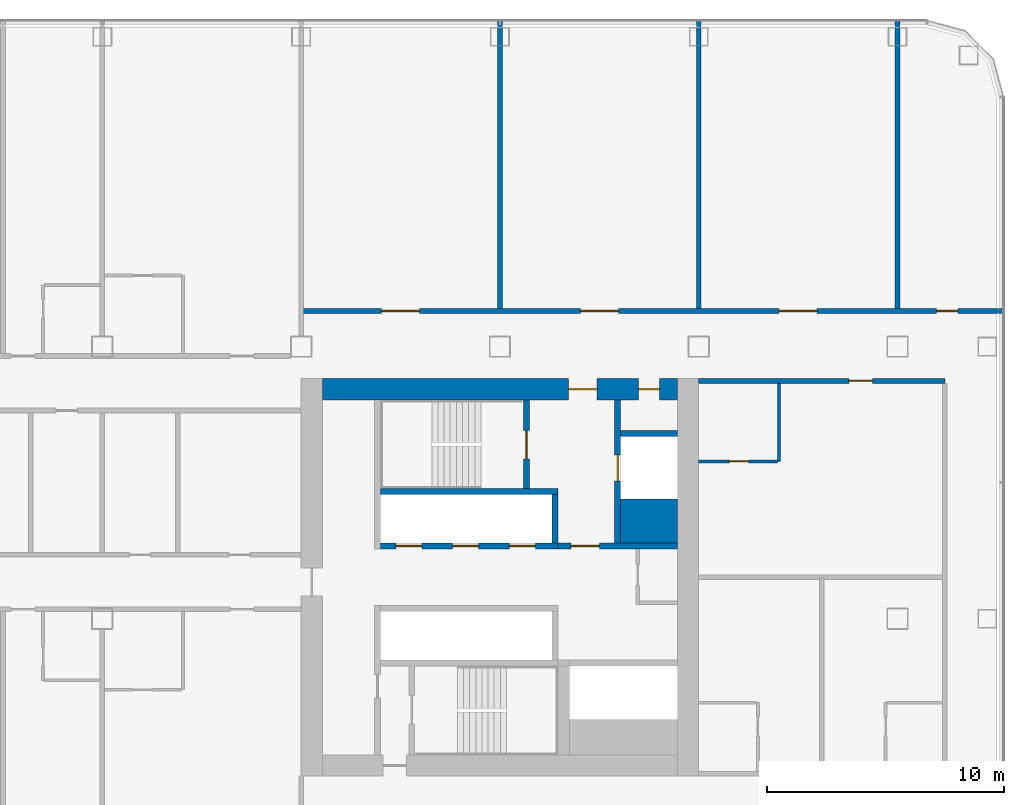
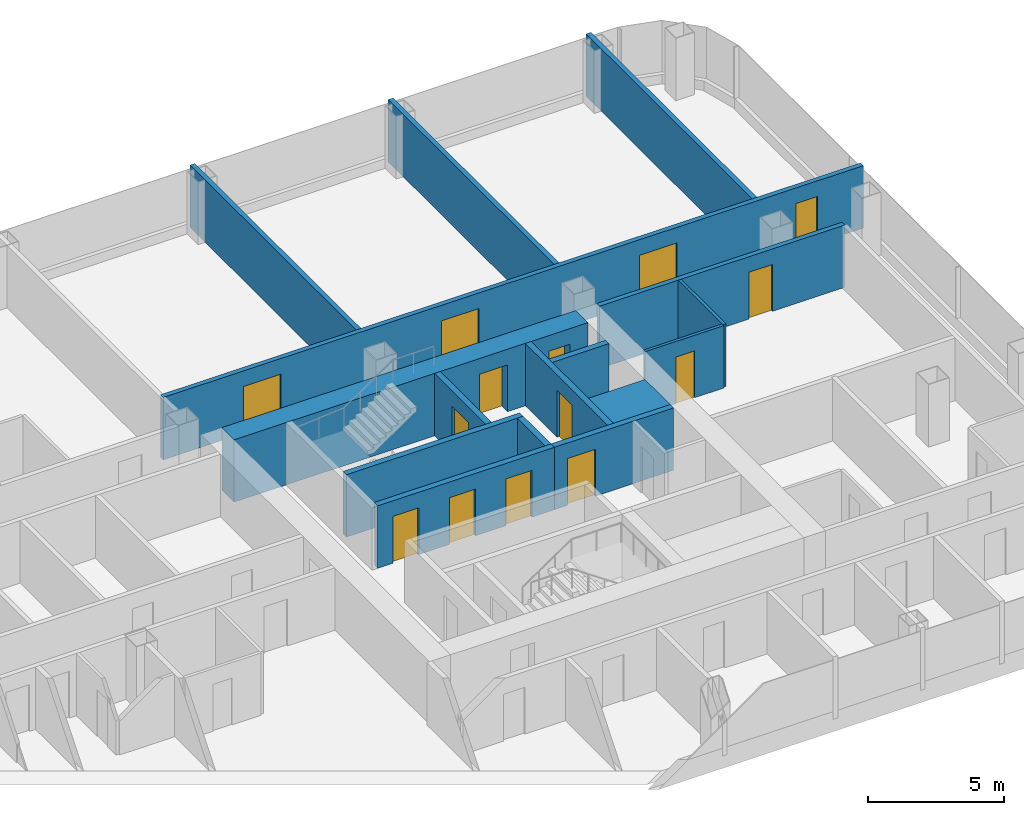
# One storey, part 20 of 29: 16 walls, 14 doors, 14 openings.
"""IFC4 building model written with IfcOpenShell, lengths in metres."""

from ifc_helpers import new_model, si_unit, direction, frame, frame_2d, origin, place, context, subcontext, project, spatial, rectangle, extrude, material, layer, layer_set, type_object, element, fill, save


model = new_model("IFC4")

# Units and contexts
model_context = context("Model", 3, precision=1e-05, world=origin(), true_north=direction((0.0, 1.0)))
body_context = subcontext(model_context, "Body", "Model", "MODEL_VIEW")
ifc_project = project(units=[si_unit("LENGTHUNIT", "METRE"), si_unit("AREAUNIT", "SQUARE_METRE"), si_unit("VOLUMEUNIT", "CUBIC_METRE"), si_unit("PLANEANGLEUNIT", "RADIAN"), si_unit("MASSUNIT", "GRAM", prefix="KILO")], contexts=[model_context])

# Site, building, storey
site_placement = place(None, origin())
site = spatial("IfcSite", under=ifc_project, at=site_placement, CompositionType="ELEMENT")
building_placement = place(site_placement, origin())
building = spatial("IfcBuilding", under=site, at=building_placement, Name="Hakoniwa Tower and Hamabe Station Hall", CompositionType="ELEMENT")
storey_placement = place(building_placement, frame((0.0, 0.0, 85.0)))
storey = spatial("IfcBuildingStorey", under=building, at=storey_placement, Name="L23", CompositionType="ELEMENT", Elevation=85.0)

# Wall, opening, door
ifc_material_1 = material(Name="Gypsum board partition", Category="gypsum")
ifc_layer_1 = layer(ifc_material_1, 0.125)
ifc_layer_set_1 = layer_set([ifc_layer_1], Name="Bathroom Partition 125")
wall_type_1 = type_object("IfcWallType", Name="Bathroom Partition 125", PredefinedType="PARTITIONING", material=ifc_layer_set_1)
wall_1_placement = place(storey_placement, frame((33.60009765625, 4.89990234375, 0.0), z_axis=(0.0, 0.0, 1.0), x_axis=(1.0, 0.0, 0.0)))
wall_1 = element("IfcWall", 1, at=wall_1_placement, inside=storey, type_object=wall_type_1, Name="GW-L23-019", PredefinedType="PARTITIONING", context=body_context, shape_type="SweptSolid", body=[
    extrude(rectangle(XDim=3.33740234375, YDim=0.125, at=frame_2d((1.668701171875, 0.0))), origin(), (0.0, 0.0, 1.0), 2.800048828125),
])
opening_1_placement = place(wall_1_placement, frame((1.300048828125, 0.0, 0.0)))
opening_1 = element("IfcOpeningElement", 2, at=opening_1_placement, cuts=wall_1, Name="Opening GD-G2D0-31", PredefinedType="OPENING", context=body_context, shape_type="SweptSolid", body=[
    extrude(rectangle(XDim=0.800048828125, YDim=2.10009765625, at=frame_2d((0.39990234375, 1.050048828125))), frame((0.0, 0.072509765625, 0.0), z_axis=(0.0, -1.0, 0.0), x_axis=(1.0, 0.0, 0.0)), (0.0, 0.0, 1.0), 0.14501953125),
])
ifc_material_2 = material(Name="Timber door leaf", Category="wood")
door_type_1 = type_object("IfcDoorType", Name="Bathroom Door 800", OperationType="SINGLE_SWING_LEFT", PredefinedType="DOOR", material=ifc_material_2)
door_1_placement = place(opening_1_placement, origin())
door_1 = element("IfcDoor", 3, at=door_1_placement, inside=storey, type_object=door_type_1, Name="Door GD-G2D0-31", OperationType="SINGLE_SWING_LEFT", OverallHeight=2.10009765625, OverallWidth=0.800048828125, PredefinedType="DOOR", context=body_context, shape_type="SweptSolid", body=[
    extrude(rectangle(XDim=0.800048828125, YDim=2.10009765625, at=frame_2d((0.39990234375, 1.050048828125))), frame((0.0, 0.02490234375, 0.0), z_axis=(0.0, -1.0, 0.0), x_axis=(1.0, 0.0, 0.0)), (0.0, 0.0, 1.0), 0.050048828125),
])
fill(opening_1, door_1)

# Wall
wall_2_placement = place(storey_placement, frame((37.0, 4.89990234375, 0.0), z_axis=(0.0, 0.0, 1.0), x_axis=(0.0, 1.0, 0.0)))
element("IfcWall", 4, at=wall_2_placement, inside=storey, type_object=wall_type_1, Name="GW-L23-089", PredefinedType="PARTITIONING", context=body_context, shape_type="SweptSolid", body=[
    extrude(rectangle(XDim=3.300048828125, YDim=0.125, at=frame_2d((1.64990234375, 0.0))), origin(), (0.0, 0.0, 1.0), 2.800048828125),
])

# Wall, openings, doors
ifc_material_3 = material(Name="Concrete C72", Category="concrete")
ifc_layer_2 = layer(ifc_material_3, 0.89990234375)
ifc_layer_set_2 = layer_set([ifc_layer_2], Name="CORE WALL 900 C72")
wall_type_2 = type_object("IfcWallType", Name="CORE WALL 900 C72", PredefinedType="SHEAR", material=ifc_layer_set_2)
wall_3_placement = place(storey_placement, frame((17.699951171875, 7.949951171875, 0.0), z_axis=(0.0, 0.0, 1.0), x_axis=(1.0, 0.0, 0.0)))
wall_3 = element("IfcWall", 5, at=wall_3_placement, inside=storey, type_object=wall_type_2, Name="Core wall NORTH east", PredefinedType="SHEAR", context=body_context, shape_type="SweptSolid", body=[
    extrude(rectangle(XDim=15.0, YDim=0.89990234375, at=frame_2d((7.5, 0.0))), origin(), (0.0, 0.0, 1.0), 2.800048828125),
])
opening_2_placement = place(wall_3_placement, frame((10.39990234375, 0.0, 0.0)))
opening_2 = element("IfcOpeningElement", 6, at=opening_2_placement, cuts=wall_3, Name="Opening CD-E-FN1-12", PredefinedType="OPENING", context=body_context, shape_type="SweptSolid", body=[
    extrude(rectangle(XDim=1.199951171875, YDim=2.10009765625, at=frame_2d((0.60009765625, 1.050048828125))), frame((0.0, 0.4599609375, 0.0), z_axis=(0.0, -1.0, 0.0), x_axis=(1.0, 0.0, 0.0)), (0.0, 0.0, 1.0), 0.919921875),
])
opening_3_placement = place(wall_3_placement, frame((13.35009765625, 0.0, 0.0)))
opening_3 = element("IfcOpeningElement", 7, at=opening_3_placement, cuts=wall_3, Name="Opening CD-E-FN2-9", PredefinedType="OPENING", context=body_context, shape_type="SweptSolid", body=[
    extrude(rectangle(XDim=0.89990234375, YDim=2.10009765625, at=frame_2d((0.449951171875, 1.050048828125))), frame((0.0, 0.4599609375, 0.0), z_axis=(0.0, -1.0, 0.0), x_axis=(1.0, 0.0, 0.0)), (0.0, 0.0, 1.0), 0.919921875),
])
ifc_material_4 = material(Name="Steel fire door", Category="steel")
door_type_2 = type_object("IfcDoorType", Name="CORE DOOR 1200 FD60", OperationType="DOUBLE_DOOR_SINGLE_SWING", PredefinedType="DOOR", material=ifc_material_4)
door_2_placement = place(opening_2_placement, origin())
door_2 = element("IfcDoor", 8, at=door_2_placement, inside=storey, type_object=door_type_2, Name="Stair vestibule door to the fire-fighting lobby", OperationType="DOUBLE_DOOR_SINGLE_SWING", OverallHeight=2.10009765625, OverallWidth=1.199951171875, PredefinedType="DOOR", context=body_context, shape_type="SweptSolid", body=[
    extrude(rectangle(XDim=1.199951171875, YDim=2.10009765625, at=frame_2d((0.60009765625, 1.050048828125))), frame((0.0, 0.02490234375, 0.0), z_axis=(0.0, -1.0, 0.0), x_axis=(1.0, 0.0, 0.0)), (0.0, 0.0, 1.0), 0.050048828125),
])
fill(opening_2, door_2)
ifc_material_5 = material(Name="Steel fire door", Category="steel")
door_type_3 = type_object("IfcDoorType", Name="CORE DOOR 900 FD30", OperationType="NOTDEFINED", PredefinedType="DOOR", material=ifc_material_5)
door_3_placement = place(opening_3_placement, origin())
door_3 = element("IfcDoor", 9, at=door_3_placement, inside=storey, type_object=door_type_3, Name="Riser access door", OperationType="SINGLE_SWING_LEFT", OverallHeight=2.10009765625, OverallWidth=0.89990234375, PredefinedType="DOOR", context=body_context, shape_type="SweptSolid", body=[
    extrude(rectangle(XDim=0.89990234375, YDim=2.10009765625, at=frame_2d((0.449951171875, 1.050048828125))), frame((0.0, 0.02490234375, 0.0), z_axis=(0.0, -1.0, 0.0), x_axis=(1.0, 0.0, 0.0)), (0.0, 0.0, 1.0), 0.050048828125),
])
fill(opening_3, door_3)

# Wall
ifc_material_6 = material(Name="Concrete C72", Category="concrete")
ifc_layer_3 = layer(ifc_material_6, 1.85009765625)
ifc_layer_set_3 = layer_set([ifc_layer_3], Name="CORE WEB WALL 1850 C72")
wall_type_3 = type_object("IfcWallType", Name="CORE WEB WALL 1850 C72", PredefinedType="SHEAR", material=ifc_layer_set_3)
wall_4_placement = place(storey_placement, frame((30.300048828125, 2.375, 0.0), z_axis=(0.0, 0.0, 1.0), x_axis=(1.0, 0.0, 0.0)))
element("IfcWall", 10, at=wall_4_placement, inside=storey, type_object=wall_type_3, Name="Core wall CA east", PredefinedType="SHEAR", context=body_context, shape_type="SweptSolid", body=[
    extrude(rectangle(XDim=2.39990234375, YDim=1.85009765625, at=frame_2d((1.199951171875, 0.0))), origin(), (0.0, 0.0, 1.0), 2.800048828125),
])

# Wall, openings, doors
ifc_material_7 = material(Name="Concrete C72", Category="concrete")
ifc_layer_4 = layer(ifc_material_7, 0.25)
ifc_layer_set_4 = layer_set([ifc_layer_4], Name="CORE WEB WALL 250 C72")
wall_type_4 = type_object("IfcWallType", Name="CORE WEB WALL 250 C72", PredefinedType="SHEAR", material=ifc_layer_set_4)
wall_5_placement = place(storey_placement, frame((20.14990234375, 1.324951171875, 0.0), z_axis=(0.0, 0.0, 1.0), x_axis=(1.0, 0.0, 0.0)))
wall_5 = element("IfcWall", 11, at=wall_5_placement, inside=storey, type_object=wall_type_4, Name="Core wall NF east", PredefinedType="SHEAR", context=body_context, shape_type="SweptSolid", body=[
    extrude(rectangle(XDim=7.5, YDim=0.25, at=frame_2d((3.75, 0.0))), origin(), (0.0, 0.0, 1.0), 2.800048828125),
])
opening_4_placement = place(wall_5_placement, frame((0.64990234375, 0.0, 0.0)))
opening_4 = element("IfcOpeningElement", 12, at=opening_4_placement, cuts=wall_5, Name="Opening LD-LR4", PredefinedType="OPENING", context=body_context, shape_type="SweptSolid", body=[
    extrude(rectangle(XDim=1.10009765625, YDim=2.10009765625, at=frame_2d((0.550048828125, 1.050048828125))), frame((0.0, 0.135009765625, 0.0), z_axis=(0.0, -1.0, 0.0), x_axis=(1.0, 0.0, 0.0)), (0.0, 0.0, 1.0), 0.27001953125),
])
opening_5_placement = place(wall_5_placement, frame((3.050048828125, 0.0, 0.0)))
opening_5 = element("IfcOpeningElement", 13, at=opening_5_placement, cuts=wall_5, Name="Opening LD-LR5", PredefinedType="OPENING", context=body_context, shape_type="SweptSolid", body=[
    extrude(rectangle(XDim=1.10009765625, YDim=2.10009765625, at=frame_2d((0.550048828125, 1.050048828125))), frame((0.0, 0.135009765625, 0.0), z_axis=(0.0, -1.0, 0.0), x_axis=(1.0, 0.0, 0.0)), (0.0, 0.0, 1.0), 0.27001953125),
])
opening_6_placement = place(wall_5_placement, frame((5.449951171875, 0.0, 0.0)))
opening_6 = element("IfcOpeningElement", 14, at=opening_6_placement, cuts=wall_5, Name="Opening LD-LR6", PredefinedType="OPENING", context=body_context, shape_type="SweptSolid", body=[
    extrude(rectangle(XDim=1.10009765625, YDim=2.10009765625, at=frame_2d((0.550048828125, 1.050048828125))), frame((0.0, 0.135009765625, 0.0), z_axis=(0.0, -1.0, 0.0), x_axis=(1.0, 0.0, 0.0)), (0.0, 0.0, 1.0), 0.27001953125),
])
ifc_material_8 = material(Name="Stainless steel SUS304", Category="steel")
door_type_4 = type_object("IfcDoorType", Name="LIFT LANDING DOOR 1100 FD60", OperationType="DOUBLE_DOOR_SLIDING", PredefinedType="DOOR", material=ifc_material_8)
door_4_placement = place(opening_4_placement, origin())
door_4 = element("IfcDoor", 15, at=door_4_placement, inside=storey, type_object=door_type_4, Name="Lift landing door LR4 L23", OperationType="DOUBLE_DOOR_SLIDING", OverallHeight=2.10009765625, OverallWidth=1.10009765625, PredefinedType="DOOR", context=body_context, shape_type="SweptSolid", body=[
    extrude(rectangle(XDim=1.10009765625, YDim=2.10009765625, at=frame_2d((0.550048828125, 1.050048828125))), frame((0.0, 0.02490234375, 0.0), z_axis=(0.0, -1.0, 0.0), x_axis=(1.0, 0.0, 0.0)), (0.0, 0.0, 1.0), 0.050048828125),
])
fill(opening_4, door_4)
door_5_placement = place(opening_5_placement, origin())
door_5 = element("IfcDoor", 16, at=door_5_placement, inside=storey, type_object=door_type_4, Name="Lift landing door LR5 L23", OperationType="DOUBLE_DOOR_SLIDING", OverallHeight=2.10009765625, OverallWidth=1.10009765625, PredefinedType="DOOR", context=body_context, shape_type="SweptSolid", body=[
    extrude(rectangle(XDim=1.10009765625, YDim=2.10009765625, at=frame_2d((0.550048828125, 1.050048828125))), frame((0.0, 0.02490234375, 0.0), z_axis=(0.0, -1.0, 0.0), x_axis=(1.0, 0.0, 0.0)), (0.0, 0.0, 1.0), 0.050048828125),
])
fill(opening_5, door_5)
door_6_placement = place(opening_6_placement, origin())
door_6 = element("IfcDoor", 17, at=door_6_placement, inside=storey, type_object=door_type_4, Name="Lift landing door LR6 L23", OperationType="DOUBLE_DOOR_SLIDING", OverallHeight=2.10009765625, OverallWidth=1.10009765625, PredefinedType="DOOR", context=body_context, shape_type="SweptSolid", body=[
    extrude(rectangle(XDim=1.10009765625, YDim=2.10009765625, at=frame_2d((0.550048828125, 1.050048828125))), frame((0.0, 0.02490234375, 0.0), z_axis=(0.0, -1.0, 0.0), x_axis=(1.0, 0.0, 0.0)), (0.0, 0.0, 1.0), 0.050048828125),
])
fill(opening_6, door_6)

# Walls
wall_6_placement = place(storey_placement, frame((27.52490234375, 1.449951171875, 0.0), z_axis=(0.0, 0.0, 1.0), x_axis=(0.0, 1.0, 0.0)))
element("IfcWall", 18, at=wall_6_placement, inside=storey, type_object=wall_type_4, Name="Core wall NE east", PredefinedType="SHEAR", context=body_context, shape_type="SweptSolid", body=[
    extrude(rectangle(XDim=2.050048828125, YDim=0.25, at=frame_2d((1.02490234375, 0.0))), origin(), (0.0, 0.0, 1.0), 2.800048828125),
])
wall_7_placement = place(storey_placement, frame((20.14990234375, 3.625, 0.0), z_axis=(0.0, 0.0, 1.0), x_axis=(1.0, 0.0, 0.0)))
element("IfcWall", 19, at=wall_7_placement, inside=storey, type_object=wall_type_4, Name="Core wall NR east", PredefinedType="SHEAR", context=body_context, shape_type="SweptSolid", body=[
    extrude(rectangle(XDim=7.5, YDim=0.25, at=frame_2d((3.75, 0.0))), origin(), (0.0, 0.0, 1.0), 2.800048828125),
])

# Wall, opening, door
wall_8_placement = place(storey_placement, frame((26.324951171875, 3.75, 0.0), z_axis=(0.0, 0.0, 1.0), x_axis=(0.0, 1.0, 0.0)))
wall_8 = element("IfcWall", 20, at=wall_8_placement, inside=storey, type_object=wall_type_4, Name="Core wall NSE east", PredefinedType="SHEAR", context=body_context, shape_type="SweptSolid", body=[
    extrude(rectangle(XDim=3.75, YDim=0.25, at=frame_2d((1.875, 0.0))), origin(), (0.0, 0.0, 1.0), 2.800048828125),
])
opening_7_placement = place(wall_8_placement, frame((1.25, 0.0, 0.0)))
opening_7 = element("IfcOpeningElement", 21, at=opening_7_placement, cuts=wall_8, Name="Opening CD-E-SN-12", PredefinedType="OPENING", context=body_context, shape_type="SweptSolid", body=[
    extrude(rectangle(XDim=1.199951171875, YDim=2.10009765625, at=frame_2d((0.60009765625, 1.050048828125))), frame((0.0, 0.135009765625, 0.0), z_axis=(0.0, -1.0, 0.0), x_axis=(1.0, 0.0, 0.0)), (0.0, 0.0, 1.0), 0.27001953125),
])
door_7_placement = place(opening_7_placement, origin())
door_7 = element("IfcDoor", 22, at=door_7_placement, inside=storey, type_object=door_type_2, Name="Escape stair door", OperationType="DOUBLE_DOOR_SINGLE_SWING", OverallHeight=2.10009765625, OverallWidth=1.199951171875, PredefinedType="DOOR", context=body_context, shape_type="SweptSolid", body=[
    extrude(rectangle(XDim=1.199951171875, YDim=2.10009765625, at=frame_2d((0.60009765625, 1.050048828125))), frame((0.0, 0.02490234375, 0.0), z_axis=(0.0, -1.0, 0.0), x_axis=(1.0, 0.0, 0.0)), (0.0, 0.0, 1.0), 0.050048828125),
])
fill(opening_7, door_7)

wall_9_placement = place(storey_placement, frame((27.64990234375, 1.324951171875, 0.0), z_axis=(0.0, 0.0, 1.0), x_axis=(1.0, 0.0, 0.0)))
wall_9 = element("IfcWall", 23, at=wall_9_placement, inside=storey, type_object=wall_type_4, Name="Core wall ELN east", PredefinedType="SHEAR", context=body_context, shape_type="SweptSolid", body=[
    extrude(rectangle(XDim=5.050048828125, YDim=0.25, at=frame_2d((2.52490234375, 0.0))), origin(), (0.0, 0.0, 1.0), 2.800048828125),
])
opening_8_placement = place(wall_9_placement, frame((0.550048828125, 0.0, 0.0)))
opening_8 = element("IfcOpeningElement", 24, at=opening_8_placement, cuts=wall_9, Name="Opening CD-E-FL-12", PredefinedType="OPENING", context=body_context, shape_type="SweptSolid", body=[
    extrude(rectangle(XDim=1.199951171875, YDim=2.10009765625, at=frame_2d((0.60009765625, 1.050048828125))), frame((0.0, 0.135009765625, 0.0), z_axis=(0.0, -1.0, 0.0), x_axis=(1.0, 0.0, 0.0)), (0.0, 0.0, 1.0), 0.27001953125),
])
door_8_placement = place(opening_8_placement, origin())
door_8 = element("IfcDoor", 25, at=door_8_placement, inside=storey, type_object=door_type_2, Name="Stair vestibule door to the fire-fighting lobby", OperationType="DOUBLE_DOOR_SINGLE_SWING", OverallHeight=2.10009765625, OverallWidth=1.199951171875, PredefinedType="DOOR", context=body_context, shape_type="SweptSolid", body=[
    extrude(rectangle(XDim=1.199951171875, YDim=2.10009765625, at=frame_2d((0.60009765625, 1.050048828125))), frame((0.0, 0.02490234375, 0.0), z_axis=(0.0, -1.0, 0.0), x_axis=(1.0, 0.0, 0.0)), (0.0, 0.0, 1.0), 0.050048828125),
])
fill(opening_8, door_8)

wall_10_placement = place(storey_placement, frame((30.175048828125, 1.449951171875, 0.0), z_axis=(0.0, 0.0, 1.0), x_axis=(0.0, 1.0, 0.0)))
wall_10 = element("IfcWall", 26, at=wall_10_placement, inside=storey, type_object=wall_type_4, Name="Core wall FFF east", PredefinedType="SHEAR", context=body_context, shape_type="SweptSolid", body=[
    extrude(rectangle(XDim=6.050048828125, YDim=0.25, at=frame_2d((3.02490234375, 0.0))), origin(), (0.0, 0.0, 1.0), 2.800048828125),
])
opening_9_placement = place(wall_10_placement, frame((2.625, 0.0, 0.0)))
opening_9 = element("IfcOpeningElement", 27, at=opening_9_placement, cuts=wall_10, Name="Opening LD-FF2", PredefinedType="OPENING", context=body_context, shape_type="SweptSolid", body=[
    extrude(rectangle(XDim=1.10009765625, YDim=2.10009765625, at=frame_2d((0.550048828125, 1.050048828125))), frame((0.0, 0.135009765625, 0.0), z_axis=(0.0, -1.0, 0.0), x_axis=(1.0, 0.0, 0.0)), (0.0, 0.0, 1.0), 0.27001953125),
])
door_9_placement = place(opening_9_placement, origin())
door_9 = element("IfcDoor", 28, at=door_9_placement, inside=storey, type_object=door_type_4, Name="Lift landing door FF2 L23", OperationType="DOUBLE_DOOR_SLIDING", OverallHeight=2.10009765625, OverallWidth=1.10009765625, PredefinedType="DOOR", context=body_context, shape_type="SweptSolid", body=[
    extrude(rectangle(XDim=1.10009765625, YDim=2.10009765625, at=frame_2d((0.550048828125, 1.050048828125))), frame((0.0, 0.02490234375, 0.0), z_axis=(0.0, -1.0, 0.0), x_axis=(1.0, 0.0, 0.0)), (0.0, 0.0, 1.0), 0.050048828125),
])
fill(opening_9, door_9)

# Wall
wall_11_placement = place(storey_placement, frame((30.300048828125, 6.074951171875, 0.0), z_axis=(0.0, 0.0, 1.0), x_axis=(1.0, 0.0, 0.0)))
element("IfcWall", 29, at=wall_11_placement, inside=storey, type_object=wall_type_4, Name="Core wall C2 east", PredefinedType="SHEAR", context=body_context, shape_type="SweptSolid", body=[
    extrude(rectangle(XDim=2.39990234375, YDim=0.25, at=frame_2d((1.199951171875, 0.0))), origin(), (0.0, 0.0, 1.0), 2.800048828125),
])

# Wall, opening, door
ifc_material_9 = material(Name="Fire-rated gypsum board partition", Category="gypsum")
ifc_layer_5 = layer(ifc_material_9, 0.199951171875)
ifc_layer_set_5 = layer_set([ifc_layer_5], Name="Corridor Wall 200")
wall_type_5 = type_object("IfcWallType", Name="Corridor Wall 200", PredefinedType="PARTITIONING", material=ifc_layer_set_5)
wall_12_placement = place(storey_placement, frame((33.60009765625, 8.300048828125, 0.0), z_axis=(0.0, 0.0, 1.0), x_axis=(1.0, 0.0, 0.0)))
wall_12 = element("IfcWall", 30, at=wall_12_placement, inside=storey, type_object=wall_type_5, Name="GW-L23-022", PredefinedType="PARTITIONING", context=body_context, shape_type="SweptSolid", body=[
    extrude(rectangle(XDim=10.39990234375, YDim=0.199951171875, at=frame_2d((5.199951171875, 0.0))), origin(), (0.0, 0.0, 1.0), 2.800048828125),
])
opening_10_placement = place(wall_12_placement, frame((6.35009765625, 0.0, 0.0)))
opening_10 = element("IfcOpeningElement", 31, at=opening_10_placement, cuts=wall_12, Name="Opening GD-G2D0-37", PredefinedType="OPENING", context=body_context, shape_type="SweptSolid", body=[
    extrude(rectangle(XDim=1.0, YDim=2.10009765625, at=frame_2d((0.5, 1.050048828125))), frame((0.0, 0.10986328125, 0.0), z_axis=(0.0, -1.0, 0.0), x_axis=(1.0, 0.0, 0.0)), (0.0, 0.0, 1.0), 0.219970703125),
])
ifc_material_10 = material(Name="Timber door leaf", Category="wood")
door_type_5 = type_object("IfcDoorType", Name="Guest Entrance Door 1000", OperationType="SINGLE_SWING_LEFT", PredefinedType="DOOR", material=ifc_material_10)
door_10_placement = place(opening_10_placement, origin())
door_10 = element("IfcDoor", 32, at=door_10_placement, inside=storey, type_object=door_type_5, Name="Door GD-G2D0-37", OperationType="SINGLE_SWING_RIGHT", OverallHeight=2.10009765625, OverallWidth=1.0, PredefinedType="DOOR", context=body_context, shape_type="SweptSolid", body=[
    extrude(rectangle(XDim=1.0, YDim=2.10009765625, at=frame_2d((0.5, 1.050048828125))), frame((0.0, 0.02490234375, 0.0), z_axis=(0.0, -1.0, 0.0), x_axis=(1.0, 0.0, 0.0)), (0.0, 0.0, 1.0), 0.050048828125),
])
fill(opening_10, door_10)

# Wall, openings, doors
wall_13_placement = place(storey_placement, frame((16.800048828125, 11.25, 0.0), z_axis=(0.0, 0.0, 1.0), x_axis=(1.0, 0.0, 0.0)))
wall_13 = element("IfcWall", 33, at=wall_13_placement, inside=storey, type_object=wall_type_5, Name="GW-L23-025", PredefinedType="PARTITIONING", context=body_context, shape_type="SweptSolid", body=[
    extrude(rectangle(XDim=29.699951171875, YDim=0.199951171875, at=frame_2d((14.85009765625, 0.0))), origin(), (0.0, 0.0, 1.0), 2.800048828125),
])
opening_11_placement = place(wall_13_placement, frame((3.39990234375, 0.0, 0.0)))
opening_11 = element("IfcOpeningElement", 34, at=opening_11_placement, cuts=wall_13, Name="Opening GD-G2D0-51", PredefinedType="OPENING", context=body_context, shape_type="SweptSolid", body=[
    extrude(rectangle(XDim=1.60009765625, YDim=2.10009765625, at=frame_2d((0.800048828125, 1.050048828125))), frame((0.0, 0.10986328125, 0.0), z_axis=(0.0, -1.0, 0.0), x_axis=(1.0, 0.0, 0.0)), (0.0, 0.0, 1.0), 0.219970703125),
])
opening_12_placement = place(wall_13_placement, frame((11.800048828125, 0.0, 0.0)))
opening_12 = element("IfcOpeningElement", 35, at=opening_12_placement, cuts=wall_13, Name="Opening GD-G2D0-52", PredefinedType="OPENING", context=body_context, shape_type="SweptSolid", body=[
    extrude(rectangle(XDim=1.60009765625, YDim=2.10009765625, at=frame_2d((0.800048828125, 1.050048828125))), frame((0.0, 0.10986328125, 0.0), z_axis=(0.0, -1.0, 0.0), x_axis=(1.0, 0.0, 0.0)), (0.0, 0.0, 1.0), 0.219970703125),
])
opening_13_placement = place(wall_13_placement, frame((20.199951171875, 0.0, 0.0)))
opening_13 = element("IfcOpeningElement", 36, at=opening_13_placement, cuts=wall_13, Name="Opening GD-G2D0-53", PredefinedType="OPENING", context=body_context, shape_type="SweptSolid", body=[
    extrude(rectangle(XDim=1.60009765625, YDim=2.10009765625, at=frame_2d((0.800048828125, 1.050048828125))), frame((0.0, 0.10986328125, 0.0), z_axis=(0.0, -1.0, 0.0), x_axis=(1.0, 0.0, 0.0)), (0.0, 0.0, 1.0), 0.219970703125),
])
opening_14_placement = place(wall_13_placement, frame((26.85009765625, 0.0, 0.0)))
opening_14 = element("IfcOpeningElement", 37, at=opening_14_placement, cuts=wall_13, Name="Opening GD-G2D0-54", PredefinedType="OPENING", context=body_context, shape_type="SweptSolid", body=[
    extrude(rectangle(XDim=0.89990234375, YDim=2.10009765625, at=frame_2d((0.449951171875, 1.050048828125))), frame((0.0, 0.10986328125, 0.0), z_axis=(0.0, -1.0, 0.0), x_axis=(1.0, 0.0, 0.0)), (0.0, 0.0, 1.0), 0.219970703125),
])
ifc_material_11 = material(Name="Timber door leaf", Category="wood")
door_type_6 = type_object("IfcDoorType", Name="Double Door 1600", OperationType="DOUBLE_DOOR_SINGLE_SWING", PredefinedType="DOOR", material=ifc_material_11)
door_11_placement = place(opening_11_placement, origin())
door_11 = element("IfcDoor", 38, at=door_11_placement, inside=storey, type_object=door_type_6, Name="Door GD-G2D0-51", OperationType="DOUBLE_DOOR_SINGLE_SWING", OverallHeight=2.10009765625, OverallWidth=1.60009765625, PredefinedType="DOOR", context=body_context, shape_type="SweptSolid", body=[
    extrude(rectangle(XDim=1.60009765625, YDim=2.10009765625, at=frame_2d((0.800048828125, 1.050048828125))), frame((0.0, 0.02490234375, 0.0), z_axis=(0.0, -1.0, 0.0), x_axis=(1.0, 0.0, 0.0)), (0.0, 0.0, 1.0), 0.050048828125),
])
fill(opening_11, door_11)
door_12_placement = place(opening_12_placement, origin())
door_12 = element("IfcDoor", 39, at=door_12_placement, inside=storey, type_object=door_type_6, Name="Door GD-G2D0-52", OperationType="DOUBLE_DOOR_SINGLE_SWING", OverallHeight=2.10009765625, OverallWidth=1.60009765625, PredefinedType="DOOR", context=body_context, shape_type="SweptSolid", body=[
    extrude(rectangle(XDim=1.60009765625, YDim=2.10009765625, at=frame_2d((0.800048828125, 1.050048828125))), frame((0.0, 0.02490234375, 0.0), z_axis=(0.0, -1.0, 0.0), x_axis=(1.0, 0.0, 0.0)), (0.0, 0.0, 1.0), 0.050048828125),
])
fill(opening_12, door_12)
door_13_placement = place(opening_13_placement, origin())
door_13 = element("IfcDoor", 40, at=door_13_placement, inside=storey, type_object=door_type_6, Name="Door GD-G2D0-53", OperationType="DOUBLE_DOOR_SINGLE_SWING", OverallHeight=2.10009765625, OverallWidth=1.60009765625, PredefinedType="DOOR", context=body_context, shape_type="SweptSolid", body=[
    extrude(rectangle(XDim=1.60009765625, YDim=2.10009765625, at=frame_2d((0.800048828125, 1.050048828125))), frame((0.0, 0.02490234375, 0.0), z_axis=(0.0, -1.0, 0.0), x_axis=(1.0, 0.0, 0.0)), (0.0, 0.0, 1.0), 0.050048828125),
])
fill(opening_13, door_13)
ifc_material_12 = material(Name="Timber door leaf", Category="wood")
door_type_7 = type_object("IfcDoorType", Name="Service Door 900", OperationType="SINGLE_SWING_LEFT", PredefinedType="DOOR", material=ifc_material_12)
door_14_placement = place(opening_14_placement, origin())
door_14 = element("IfcDoor", 41, at=door_14_placement, inside=storey, type_object=door_type_7, Name="Door GD-G2D0-54", OperationType="SINGLE_SWING_RIGHT", OverallHeight=2.10009765625, OverallWidth=0.89990234375, PredefinedType="DOOR", context=body_context, shape_type="SweptSolid", body=[
    extrude(rectangle(XDim=0.89990234375, YDim=2.10009765625, at=frame_2d((0.449951171875, 1.050048828125))), frame((0.0, 0.02490234375, 0.0), z_axis=(0.0, -1.0, 0.0), x_axis=(1.0, 0.0, 0.0)), (0.0, 0.0, 1.0), 0.050048828125),
])
fill(opening_14, door_14)

# Walls
ifc_material_13 = material(Name="Fire-rated gypsum board partition", Category="gypsum")
ifc_layer_6 = layer(ifc_material_13, 0.199951171875)
ifc_layer_set_6 = layer_set([ifc_layer_6], Name="Party Wall 200")
wall_type_6 = type_object("IfcWallType", Name="Party Wall 200", PredefinedType="PARTITIONING", material=ifc_layer_set_6)
for number, where, z_axis, x_axis, name in (
    (42, (25.199951171875, 11.35009765625, 0.0), (0.0, 0.0, 1.0), (0.0, 1.0, 0.0), "GW-L23-083"),
    (43, (33.60009765625, 11.35009765625, 0.0), (0.0, 0.0, 1.0), (0.0, 1.0, 0.0), "GW-L23-086"),
    (44, (42.0, 11.35009765625, 0.0), (0.0, 0.0, 1.0), (0.0, 1.0, 0.0), "GW-L23-093"),
):
    element("IfcWall", number, at=place(storey_placement, frame(where, z_axis=z_axis, x_axis=x_axis)), inside=storey, type_object=wall_type_6, Name=name, PredefinedType="PARTITIONING", context=body_context, shape_type="SweptSolid", body=[
        extrude(rectangle(XDim=12.199951171875, YDim=0.199951171875, at=frame_2d((6.10009765625, 0.0))), origin(), (0.0, 0.0, 1.0), 2.800048828125),
    ])

save(model, "model.ifc")
